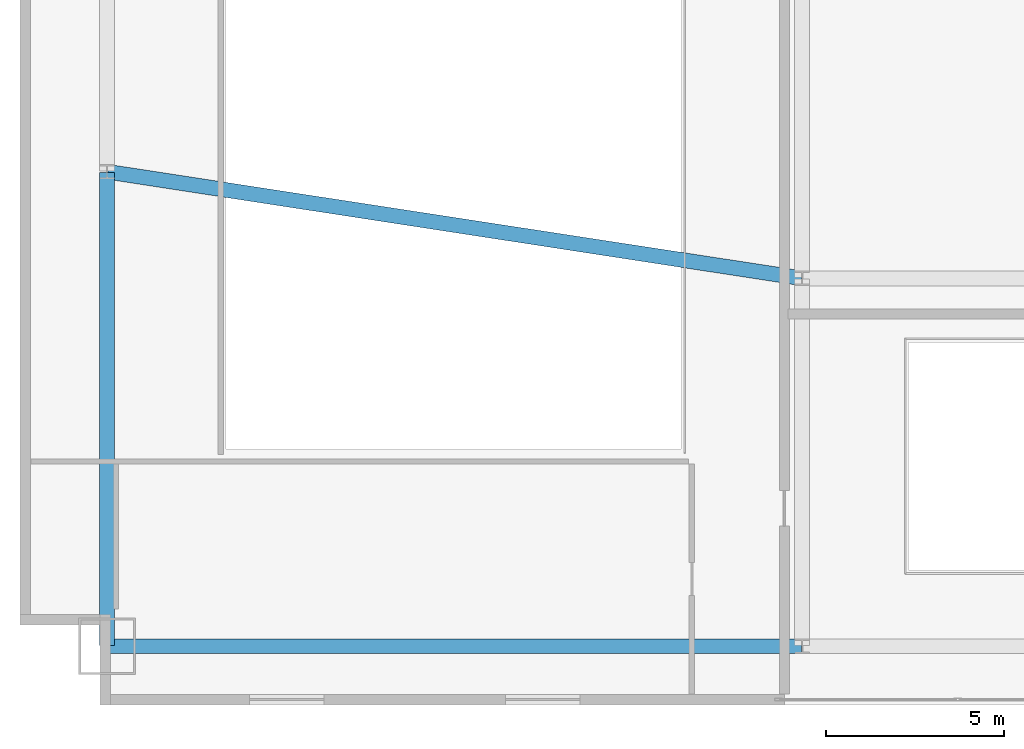
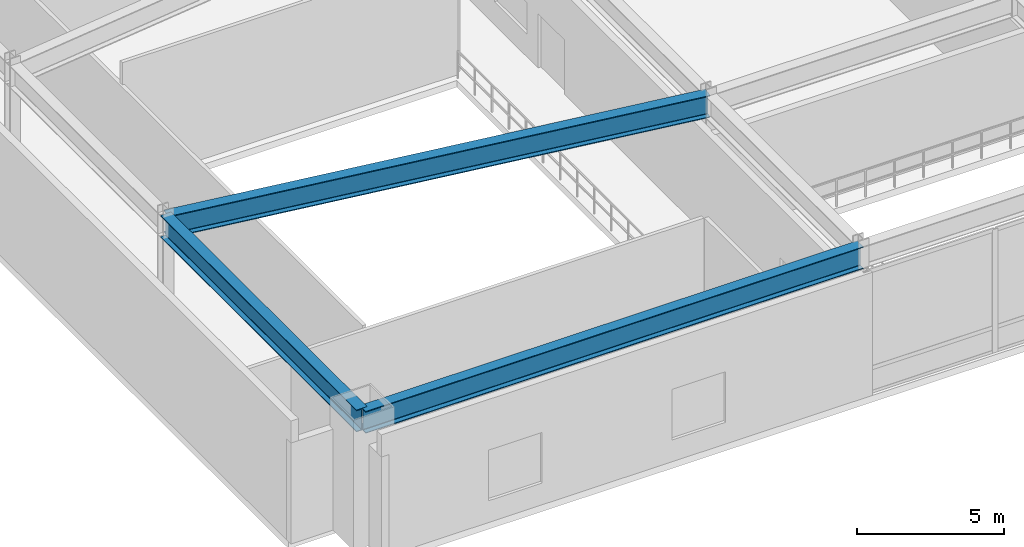
# One storey, part 3 of 13: 3 beams.
"""IFC4 building model written with IfcOpenShell, lengths in metres."""

from ifc_helpers import new_model, si_unit, direction, frame, origin, origin_2d, place, context, subcontext, project, spatial, i_section, extrude, source, transform, mapped, material, material_profile, profile_set, type_object, type_shapes, element, save


model = new_model("IFC4")

# Units and contexts
model_context = context("Model", 3, precision=1e-05, world=origin(), true_north=direction((0.0, 1.0)))
body_context = subcontext(model_context, "Body", "Model", "MODEL_VIEW")
ifc_project = project(units=[si_unit("LENGTHUNIT", "METRE"), si_unit("AREAUNIT", "SQUARE_METRE"), si_unit("VOLUMEUNIT", "CUBIC_METRE"), si_unit("PLANEANGLEUNIT", "RADIAN"), si_unit("MASSUNIT", "GRAM", prefix="KILO")], contexts=[model_context])

# Site, building, storey
site_placement = place(None, origin())
site = spatial("IfcSite", under=ifc_project, at=site_placement, CompositionType="ELEMENT")
building_placement = place(site_placement, origin())
building = spatial("IfcBuilding", under=site, at=building_placement, Name="Varnel Quay Broadcast Tower", CompositionType="ELEMENT")
storey_placement = place(building_placement, frame((0.0, 0.0, 6.0)))
storey = spatial("IfcBuildingStorey", under=building, at=storey_placement, Name="L01", CompositionType="ELEMENT", Elevation=6.0)

# Beams
ifc_material = material(Name="Structural Steel CSA G40.21 350W", Category="steel")
ifc_material_profile = material_profile(ifc_material, i_section(OverallWidth=0.41796875, OverallDepth=0.912109375, WebThickness=0.019287109375, FlangeThickness=0.031982421875, FilletRadius=0.02197265625, at=origin_2d()), Name="W920X342")
ifc_profile_set = profile_set([ifc_material_profile], Name="Structural Steel CSA G40.21 350W")
beam_type = type_object("IfcBeamType", Name="Girder_W920X342", PredefinedType="BEAM", material=ifc_profile_set)
shared_shape_1 = source(origin(), body_context, "Body", "SweptSolid", [
    extrude(i_section(OverallWidth=0.41796875, OverallDepth=0.912109375, WebThickness=0.019287109375, FlangeThickness=0.031982421875, FilletRadius=0.02197265625, at=origin_2d()), origin(), (0.0, 0.0, 1.0), 19.510009765625),
])
beam_1_placement = place(storey_placement, frame((2.469970703125, 1.64990234375, 4.6640625), z_axis=(1.0, 0.0, 0.0), x_axis=(0.0, 1.0, 0.0)))
element("IfcBeam", 1, at=beam_1_placement, inside=storey, type_object=beam_type, Name="L01 Girder G-PS1", PredefinedType="BEAM", context=body_context, shape_type="MappedRepresentation", body=[
    mapped(shared_shape_1, transform((0.0, 0.0, 0.0), x_axis=(1.0, 0.0, 0.0), y_axis=(0.0, 1.0, 0.0), z_axis=(0.0, 0.0, 1.0), scale=1.0)),
])
shared_shape_2 = source(origin(), body_context, "Body", "SweptSolid", [
    extrude(i_section(OverallWidth=0.41796875, OverallDepth=0.912109375, WebThickness=0.019287109375, FlangeThickness=0.031982421875, FilletRadius=0.02197265625, at=origin_2d()), origin(), (0.0, 0.0, 1.0), 13.31005859375),
])
beam_2_placement = place(storey_placement, frame((2.449951171875, 1.669921875, 4.6640625), z_axis=(0.0, 1.0, 0.0), x_axis=(-1.0, 0.0, 0.0)))
element("IfcBeam", 2, at=beam_2_placement, inside=storey, type_object=beam_type, Name="L01 Girder G-PW1", PredefinedType="BEAM", context=body_context, shape_type="MappedRepresentation", body=[
    mapped(shared_shape_2, transform((0.0, 0.0, 0.0), x_axis=(1.0, 0.0, 0.0), y_axis=(0.0, 1.0, 0.0), z_axis=(0.0, 0.0, 1.0), scale=1.0)),
])
shared_shape_3 = source(origin(), body_context, "Body", "SweptSolid", [
    extrude(i_section(OverallWidth=0.41796875, OverallDepth=0.912109375, WebThickness=0.019287109375, FlangeThickness=0.031982421875, FilletRadius=0.02197265625, at=origin_2d()), origin(), (0.0, 0.0, 1.0), 19.739013671875),
])
type_shapes(beam_type, [shared_shape_1, shared_shape_2, shared_shape_3])
beam_3_placement = place(storey_placement, frame((2.4697265625, 14.9970703125, 4.6640625), z_axis=(0.988428537819, -0.151687262564, 0.0), x_axis=(0.151687262564, 0.988428537819, 0.0)))
element("IfcBeam", 3, at=beam_3_placement, inside=storey, type_object=beam_type, Name="L01 Girder G-STA1", PredefinedType="BEAM", context=body_context, shape_type="MappedRepresentation", body=[
    mapped(shared_shape_3, transform((0.0, 0.0, 0.0), x_axis=(1.0, 0.0, 0.0), y_axis=(0.0, 1.0, 0.0), z_axis=(0.0, 0.0, 1.0), scale=1.0)),
])

save(model, "model.ifc")
